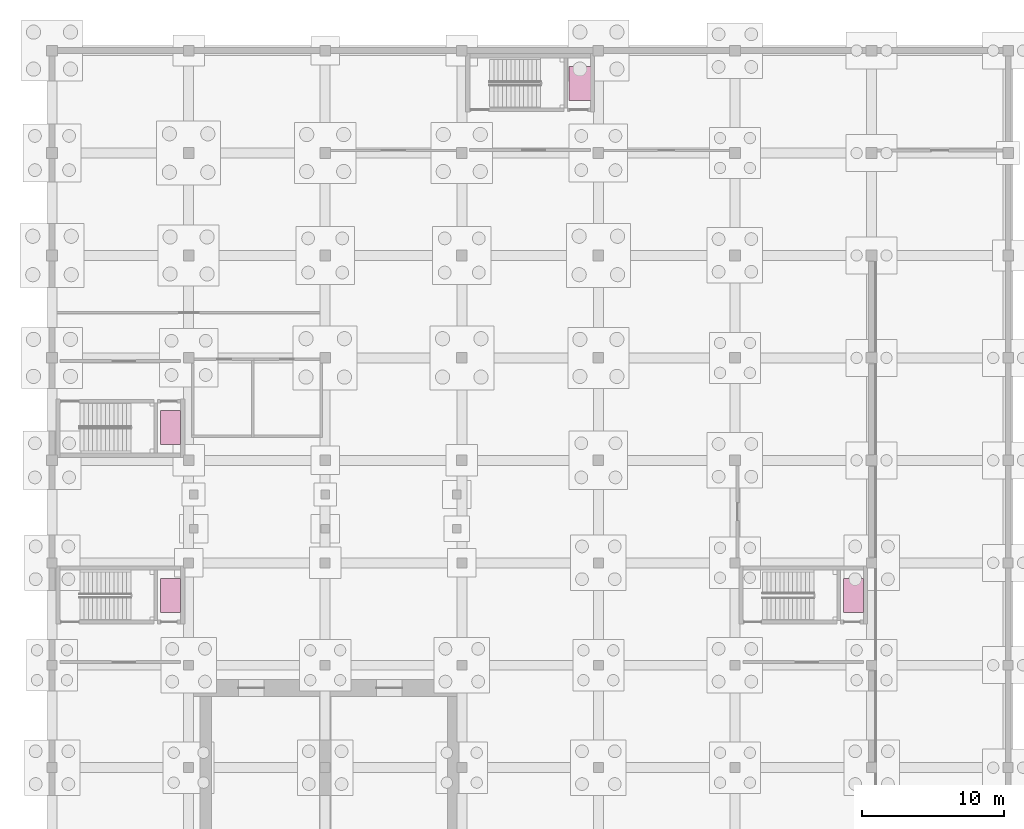
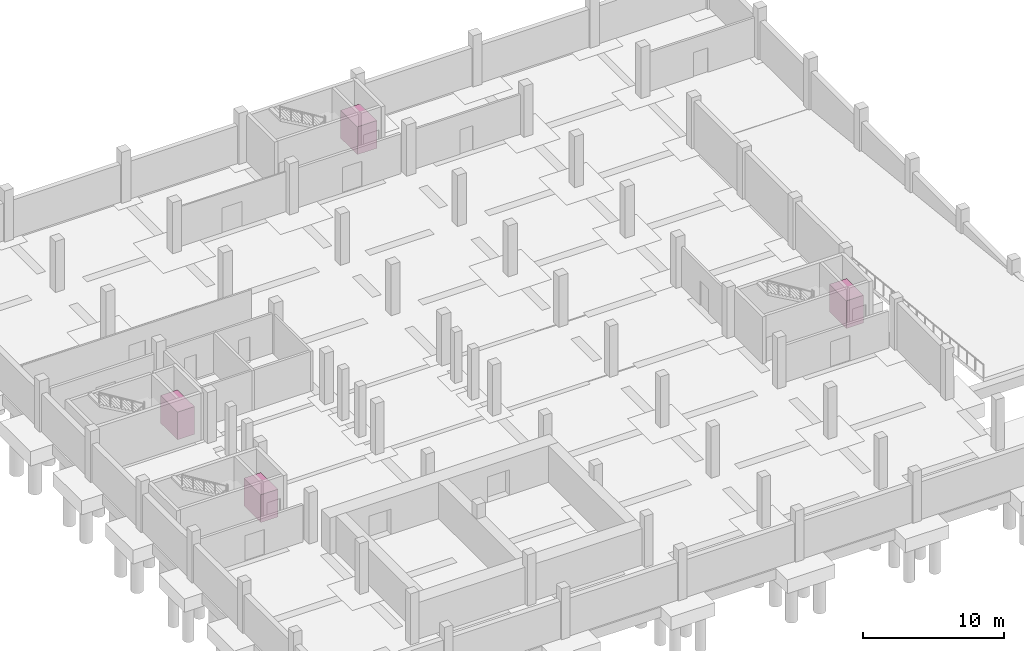
# One storey, part 13 of 13: 4 transport elements.
"""IFC4 building model written with IfcOpenShell, lengths in metres."""

import ifcopenshell
import ifcopenshell.guid

model = None  # the IFC model being written
_history = None  # IfcOwnerHistory: only IFC2X3 demands one
_inside = {}  # id of a spatial element -> (the spatial element, [elements in it])
_under = {}  # id of a project, library or spatial element -> (it, [spatial elements below it])
_declared = {}  # id of a project -> (the project, [libraries it declares])
_typed = {}  # id of a type object -> (the type object, [elements of that type])
_made_of = {}  # id of a material, layer set ... -> (it, [elements and type objects made of it])


def new_model(schema):
    """Start an empty IFC model of exactly this schema.

    Asked for "IFC4X3", IfcOpenShell would pick the latest addendum, in which some entities
    have other attributes; the version numbers below select the first issue.
    IFC2X3 requires an IfcOwnerHistory on every rooted entity: one is made here for all.
    """
    global model, _history
    if schema == "IFC4X3":
        model = ifcopenshell.file(schema_version=(4, 3, 0, 0))
    else:
        model = ifcopenshell.file(schema=schema)
    _inside.clear()
    _under.clear()
    _declared.clear()
    _typed.clear()
    _made_of.clear()
    _history = None
    if model.schema == "IFC2X3":
        org = make("IfcOrganization", Name="unknown")
        user = make(
            "IfcPersonAndOrganization",
            ThePerson=make("IfcPerson", FamilyName="unknown"),
            TheOrganization=org,
        )
        app = make(
            "IfcApplication",
            ApplicationDeveloper=org,
            Version="unknown",
            ApplicationFullName="unknown",
            ApplicationIdentifier="unknown",
        )
        _history = make(
            "IfcOwnerHistory",
            OwningUser=user,
            OwningApplication=app,
            ChangeAction="ADDED",
            CreationDate=0,
        )
    return model


def make(cls, **values):
    """One entity of the class cls with the attributes given. An attribute that is None is left unset."""
    return model.create_entity(
        cls, **{name: value for name, value in values.items() if value is not None}
    )


def rooted(cls, **values):
    """An entity with a GlobalId (a new one), such as an element, a storey or a relation."""
    return make(cls, GlobalId=ifcopenshell.guid.new(), OwnerHistory=_history, **values)


def si_unit(unit_type, name, prefix=None):
    """IfcSIUnit, for example si_unit("LENGTHUNIT", "METRE", prefix="MILLI")."""
    return make("IfcSIUnit", UnitType=unit_type, Prefix=prefix, Name=name)


def assignment(units):
    """IfcUnitAssignment: the units of a project."""
    return None if units is None else make("IfcUnitAssignment", Units=units)


def point(xyz):
    """IfcCartesianPoint."""
    return None if xyz is None else make("IfcCartesianPoint", Coordinates=xyz)


def direction(xyz):
    """IfcDirection."""
    return None if xyz is None else make("IfcDirection", DirectionRatios=xyz)


def frame(location, z_axis=None, x_axis=None):
    """IfcAxis2Placement3D, a coordinate frame: its origin and axes. An axis left out is left unset."""
    return make(
        "IfcAxis2Placement3D",
        Location=point(location),
        Axis=direction(z_axis),
        RefDirection=direction(x_axis),
    )


def frame_2d(location, x_axis=None):
    """IfcAxis2Placement2D, a coordinate frame in the plane: its origin and x axis."""
    return make(
        "IfcAxis2Placement2D", Location=point(location), RefDirection=direction(x_axis)
    )


def origin():
    """The frame at (0, 0, 0) with its axes left unset."""
    return frame((0.0, 0.0, 0.0))


def origin_2d():
    """The frame at (0, 0) in the plane with its x axis left unset."""
    return frame_2d((0.0, 0.0))


def place(relative_to, where):
    """IfcLocalPlacement: puts the frame where relative to a parent placement (None: the world)."""
    return make(
        "IfcLocalPlacement", PlacementRelTo=relative_to, RelativePlacement=where
    )


def context(
    kind, dimensions, precision=None, world=None, true_north=None, identifier=None
):
    """IfcGeometricRepresentationContext, for example the 3D "Model" context."""
    return make(
        "IfcGeometricRepresentationContext",
        ContextIdentifier=identifier,
        ContextType=kind,
        CoordinateSpaceDimension=dimensions,
        Precision=precision,
        WorldCoordinateSystem=world,
        TrueNorth=true_north,
    )


def subcontext(parent, identifier, kind, view, scale=None):
    """IfcGeometricRepresentationSubContext, for example "Body" below "Model"."""
    return make(
        "IfcGeometricRepresentationSubContext",
        ContextIdentifier=identifier,
        ContextType=kind,
        ParentContext=parent,
        TargetScale=scale,
        TargetView=view,
    )


def project(units=None, contexts=None):
    """IfcProject with its units and contexts."""
    return rooted(
        "IfcProject",
        Name="project",
        RepresentationContexts=contexts,
        UnitsInContext=assignment(units),
    )


def spatial(cls, under=None, at=None, **own):
    """A site, building, storey or space (cls), placed at a placement, below another one or the project."""
    s = rooted(cls, ObjectPlacement=at, **own)
    if under is not None:
        _under.setdefault(under.id(), (under, []))[1].append(s)
    return s


def profile(cls, at=None, kind="AREA", **sizes):
    """A parametric profile (cls). Its sizes go by their IFC names, for example OverallWidth=200.0."""
    return make(cls, ProfileType=kind, Position=at, **sizes)


def rectangle(**sizes):
    """IfcRectangleProfileDef."""
    return profile("IfcRectangleProfileDef", **sizes)


def extrude(swept, where, along, depth):
    """IfcExtrudedAreaSolid: the profile swept, set in the frame where, extruded along a direction by depth."""
    return make(
        "IfcExtrudedAreaSolid",
        SweptArea=swept,
        Position=where,
        ExtrudedDirection=direction(along),
        Depth=depth,
    )


def shape(context_of_items, identifier, shape_type, items):
    """IfcShapeRepresentation: the items that make up one representation, for example the "Body"."""
    return make(
        "IfcShapeRepresentation",
        ContextOfItems=context_of_items,
        RepresentationIdentifier=identifier,
        RepresentationType=shape_type,
        Items=items,
    )


def material(Name=None, Category=None):
    """IfcMaterial."""
    return make("IfcMaterial", Name=Name, Category=Category)


def made_of(thing, what):
    """Note that an element or type object is made of a material, layer set ...; save() writes the relation."""
    if what is not None:
        _made_of.setdefault(what.id(), (what, []))[1].append(thing)
    return thing


def type_object(cls, material=None, **own):
    """A type object (cls), such as IfcWallType, which elements share."""
    return made_of(rooted(cls, **own), material)


def element(
    cls,
    number,
    at=None,
    inside=None,
    cuts=None,
    type_object=None,
    material=None,
    context=None,
    identifier="Body",
    shape_type=None,
    held_by="IfcProductDefinitionShape",
    body=None,
    shapes=None,
    **own,
):
    """One element of the class cls, such as IfcWall. Its Tag is "e" and its number.

    at: its placement. inside: the storey or other place that contains it. cuts: it is an
    opening in that element (IfcRelVoidsElement). A single representation is given by context,
    identifier, shape_type and body (its items); several are given by shapes. held_by: the class
    of the entity that holds the representations. save() writes the other relations.
    """
    e = rooted(cls, Tag="e%d" % number, ObjectPlacement=at, **own)
    if body is not None:
        shapes = [shape(context, identifier, shape_type, body)]
    if shapes is not None:
        e.Representation = make(held_by, Representations=shapes)
    if inside is not None:
        _inside.setdefault(inside.id(), (inside, []))[1].append(e)
    if cuts is not None:
        rooted(
            "IfcRelVoidsElement", RelatingBuildingElement=cuts, RelatedOpeningElement=e
        )
    if type_object is not None:
        _typed.setdefault(type_object.id(), (type_object, []))[1].append(e)
    return made_of(e, material)


def aggregate(whole, parts):
    """IfcRelAggregates: a whole, such as a stair, and the parts it consists of."""
    return rooted("IfcRelAggregates", RelatingObject=whole, RelatedObjects=parts)


def save(model, path):
    """Write the relations noted so far, then the file.

    IfcRelAggregates (storeys below a building ...), IfcRelContainedInSpatialStructure (elements
    in a storey), IfcRelDefinesByType, IfcRelAssociatesMaterial and IfcRelDeclares: one each for
    every whole, place, type object, material and project.
    """
    for whole, parts in _under.values():
        aggregate(whole, parts)
    for where, things in _inside.values():
        rooted(
            "IfcRelContainedInSpatialStructure",
            RelatedElements=things,
            RelatingStructure=where,
        )
    for kind, things in _typed.values():
        rooted("IfcRelDefinesByType", RelatedObjects=things, RelatingType=kind)
    for what, things in _made_of.values():
        rooted("IfcRelAssociatesMaterial", RelatedObjects=things, RelatingMaterial=what)
    for by, libraries in _declared.values():
        rooted("IfcRelDeclares", RelatingContext=by, RelatedDefinitions=libraries)
    model.write(path)


model = new_model("IFC4")

# Units and contexts
model_context = context("Model", 3, precision=1e-05, world=origin(), true_north=direction((0.0, 1.0)))
body_context = subcontext(model_context, "Body", "Model", "MODEL_VIEW")
ifc_project = project(units=[si_unit("LENGTHUNIT", "METRE"), si_unit("AREAUNIT", "SQUARE_METRE"), si_unit("VOLUMEUNIT", "CUBIC_METRE"), si_unit("PLANEANGLEUNIT", "RADIAN"), si_unit("MASSUNIT", "GRAM", prefix="KILO")], contexts=[model_context])

# Site, building, storey
site_placement = place(None, origin())
site = spatial("IfcSite", under=ifc_project, at=site_placement, CompositionType="ELEMENT")
building_placement = place(site_placement, origin())
building = spatial("IfcBuilding", under=site, at=building_placement, Name="Asteropetra Specialist Clinic", CompositionType="ELEMENT")
storey_placement = place(building_placement, frame((0.0, 0.0, -4.419921875)))
storey = spatial("IfcBuildingStorey", under=building, at=storey_placement, Name="B1", CompositionType="ELEMENT", Elevation=-4.419921875)

# Transport elements
ifc_material_1 = material(Name="Stainless steel elevator car", Category="steel")
transport_element_type_1 = type_object("IfcTransportElementType", Name="LFT-PASS-1600", PredefinedType="ELEVATOR", material=ifc_material_1)
for number, where, z_axis, x_axis, name in (
    (1, (8.324951171875, 35.909912109375, 0.0), (0.0, 0.0, 1.0), (1.0, 0.0, 0.0), "Elevator PL-03"),
    (2, (8.324951171875, 24.090087890625, 0.0), (0.0, 0.0, 1.0), (1.0, 0.0, 0.0), "Elevator PL-04"),
    (3, (56.324951171875, 24.090087890625, 0.0), (0.0, 0.0, 1.0), (1.0, 0.0, 0.0), "Elevator PL-05"),
):
    element("IfcTransportElement", number, at=place(storey_placement, frame(where, z_axis=z_axis, x_axis=x_axis)), inside=storey, type_object=transport_element_type_1, Name=name, PredefinedType="ELEVATOR", context=body_context, shape_type="SweptSolid", body=[
        extrude(rectangle(XDim=1.39990234375, YDim=2.39990234375, at=origin_2d()), origin(), (0.0, 0.0, 1.0), 2.39990234375),
    ])
ifc_material_2 = material(Name="Stainless steel elevator car", Category="steel")
transport_element_type_2 = type_object("IfcTransportElementType", Name="LFT-SERV-2000", PredefinedType="ELEVATOR", material=ifc_material_2)
transport_element_placement = place(storey_placement, frame((37.125, 60.090087890625, 0.0), z_axis=(0.0, 0.0, 1.0), x_axis=(1.0, 0.0, 0.0)))
element("IfcTransportElement", 4, at=transport_element_placement, inside=storey, type_object=transport_element_type_2, Name="Elevator SL-01", PredefinedType="ELEVATOR", context=body_context, shape_type="SweptSolid", body=[
    extrude(rectangle(XDim=1.60009765625, YDim=2.39990234375, at=origin_2d()), origin(), (0.0, 0.0, 1.0), 2.39990234375),
])

save(model, "model.ifc")
